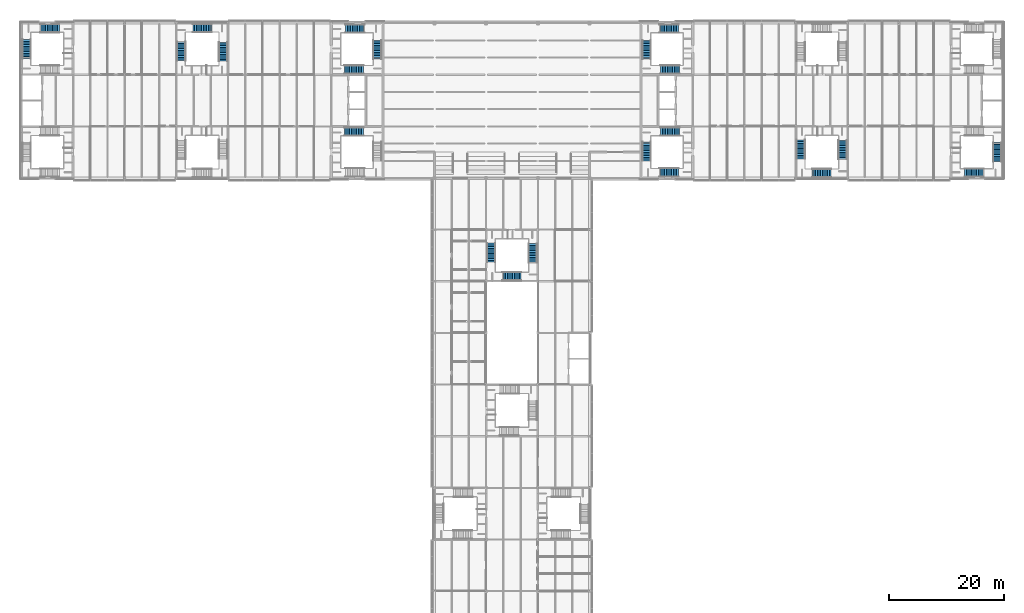
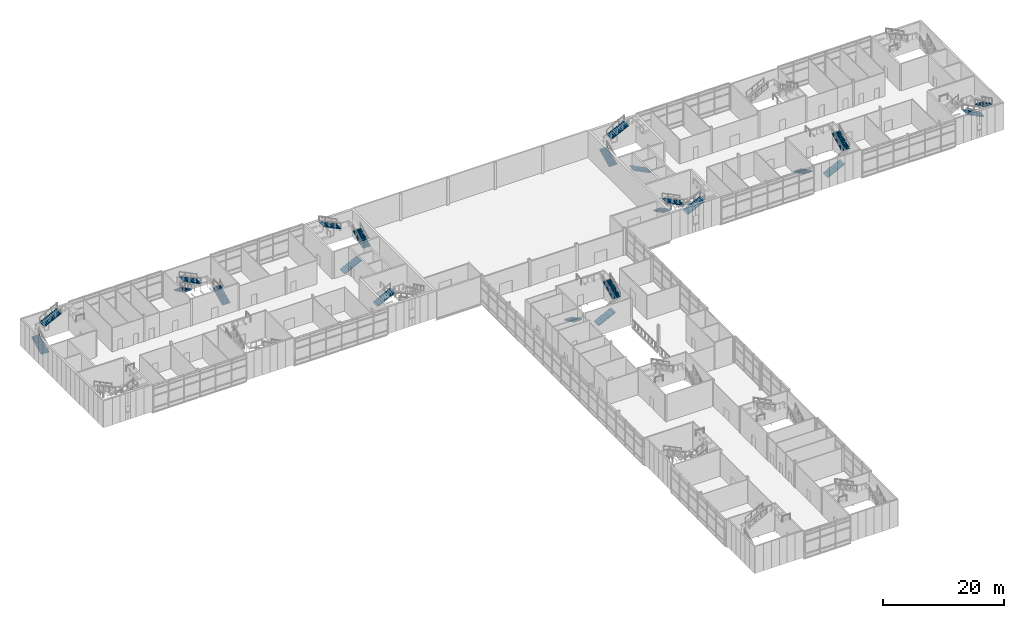
# One storey, part 41 of 52: 23 stair flights, 9 elements without a shape of their own.
"""IFC4 building model written with IfcOpenShell, lengths in metres."""

from ifc_helpers import new_model, si_unit, direction, frame, origin, place, context, subcontext, project, spatial, polyline, outline, extrude, material, type_object, element, aggregate, save


model = new_model("IFC4")

# Units and contexts
model_context = context("Model", 3, precision=1e-05, world=origin(), true_north=direction((0.0, 1.0)))
body_context = subcontext(model_context, "Body", "Model", "MODEL_VIEW")
ifc_project = project(units=[si_unit("LENGTHUNIT", "METRE"), si_unit("AREAUNIT", "SQUARE_METRE"), si_unit("VOLUMEUNIT", "CUBIC_METRE"), si_unit("PLANEANGLEUNIT", "RADIAN"), si_unit("MASSUNIT", "GRAM", prefix="KILO")], contexts=[model_context])

# Site, building, storey
site_placement = place(None, origin())
site = spatial("IfcSite", under=ifc_project, at=site_placement, CompositionType="ELEMENT")
building_placement = place(site_placement, origin())
building = spatial("IfcBuilding", under=site, at=building_placement, Name="Azimuth Sports and Learning Centre", CompositionType="ELEMENT")
storey_placement = place(building_placement, frame((0.0, 0.0, 16.199951171875)))
storey = spatial("IfcBuildingStorey", under=building, at=storey_placement, Name="L03", CompositionType="ELEMENT", Elevation=16.199951171875)

# Stair, stair flight
ifc_material_1 = material(Name="Concrete C32/40", Category="concrete")
stair_type_1 = type_object("IfcStairType", Name="Square-well stair core 5400 storey", PredefinedType="THREE_QUARTER_TURN_STAIR", material=ifc_material_1)
stair_1_placement = place(storey_placement, origin())
stair_1 = element("IfcStair", 1, at=stair_1_placement, inside=storey, type_object=stair_type_1, Name="Stair W1 L03-L04", PredefinedType="THREE_QUARTER_TURN_STAIR")
ifc_material_2 = material(Name="Concrete C32/40", Category="concrete")
stair_flight_type = type_object("IfcStairFlightType", Name="Stair flight 12 risers", PredefinedType="STRAIGHT", material=ifc_material_2)
stair_flight_1_placement = place(storey_placement, frame((56.31005859375, 98.090087890625, 0.0), z_axis=(0.0, 0.0, 1.0), x_axis=(1.0, 0.0, 0.0)))
stair_flight_1 = element("IfcStairFlight", 2, at=stair_flight_1_placement, type_object=stair_flight_type, Name="Stair W1 L03 flight 1", NumberOfRisers=12, NumberOfTreads=11, PredefinedType="STRAIGHT", RiserHeight=0.15, TreadLength=0.3, context=body_context, shape_type="SweptSolid", body=[
    extrude(outline(polyline([(0.0, 0.0), (0.0, 0.14990234375), (0.300048828125, 0.14990234375), (0.300048828125, 0.300048828125), (0.60009765625, 0.300048828125), (0.60009765625, 0.449951171875), (0.89990234375, 0.449951171875), (0.89990234375, 0.60009765625), (1.199951171875, 0.60009765625), (1.199951171875, 0.75), (1.5, 0.75), (1.5, 0.89990234375), (1.800048828125, 0.89990234375), (1.800048828125, 1.050048828125), (2.10009765625, 1.050048828125), (2.10009765625, 1.199951171875), (2.39990234375, 1.199951171875), (2.39990234375, 1.35009765625), (2.699951171875, 1.35009765625), (2.699951171875, 1.5), (3.0, 1.5), (3.0, 1.64990234375), (3.300048828125, 1.64990234375), (3.300048828125, 1.800048828125), (3.300048828125, 1.482421875), (0.335205078125, 0.0), (0.0, 0.0)])), frame((0.0, 0.75, 0.0), z_axis=(0.0, -1.0, 0.0), x_axis=(1.0, 0.0, 0.0)), (0.0, 0.0, 1.0), 1.5),
])
aggregate(stair_1, [stair_flight_1])

# Stair, stair flights
stair_2_placement = place(storey_placement, origin())
stair_2 = element("IfcStair", 3, at=stair_2_placement, inside=storey, type_object=stair_type_1, Name="Stair W2 L03-L04", PredefinedType="THREE_QUARTER_TURN_STAIR")
stair_flight_2_placement = place(storey_placement, frame((56.31005859375, 108.909912109375, 0.0), z_axis=(0.0, 0.0, 1.0), x_axis=(1.0, 0.0, 0.0)))
stair_flight_2 = element("IfcStairFlight", 4, at=stair_flight_2_placement, type_object=stair_flight_type, Name="Stair W2 L03 flight 1", NumberOfRisers=12, NumberOfTreads=11, PredefinedType="STRAIGHT", RiserHeight=0.15, TreadLength=0.3, context=body_context, shape_type="SweptSolid", body=[
    extrude(outline(polyline([(0.0, 0.0), (0.0, 0.14990234375), (0.300048828125, 0.14990234375), (0.300048828125, 0.300048828125), (0.60009765625, 0.300048828125), (0.60009765625, 0.449951171875), (0.89990234375, 0.449951171875), (0.89990234375, 0.60009765625), (1.199951171875, 0.60009765625), (1.199951171875, 0.75), (1.5, 0.75), (1.5, 0.89990234375), (1.800048828125, 0.89990234375), (1.800048828125, 1.050048828125), (2.10009765625, 1.050048828125), (2.10009765625, 1.199951171875), (2.39990234375, 1.199951171875), (2.39990234375, 1.35009765625), (2.699951171875, 1.35009765625), (2.699951171875, 1.5), (3.0, 1.5), (3.0, 1.64990234375), (3.300048828125, 1.64990234375), (3.300048828125, 1.800048828125), (3.300048828125, 1.482421875), (0.335205078125, 0.0), (0.0, 0.0)])), frame((0.0, 0.75, 0.0), z_axis=(0.0, -1.0, 0.0), x_axis=(1.0, 0.0, 0.0)), (0.0, 0.0, 1.0), 1.5),
])
stair_flight_3_placement = place(storey_placement, frame((62.0400390625, 110.7099609375, 1.800048828125), z_axis=(0.0, 0.0, 1.0), x_axis=(0.0, 1.0, 0.0)))
stair_flight_3 = element("IfcStairFlight", 5, at=stair_flight_3_placement, type_object=stair_flight_type, Name="Stair W2 L03 flight 2", NumberOfRisers=12, NumberOfTreads=11, PredefinedType="STRAIGHT", RiserHeight=0.15, TreadLength=0.3, context=body_context, shape_type="SweptSolid", body=[
    extrude(outline(polyline([(0.0, 0.0), (0.0, 0.14990234375), (0.300048828125, 0.14990234375), (0.300048828125, 0.300048828125), (0.60009765625, 0.300048828125), (0.60009765625, 0.449951171875), (0.89990234375, 0.449951171875), (0.89990234375, 0.60009765625), (1.199951171875, 0.60009765625), (1.199951171875, 0.75), (1.5, 0.75), (1.5, 0.89990234375), (1.800048828125, 0.89990234375), (1.800048828125, 1.050048828125), (2.10009765625, 1.050048828125), (2.10009765625, 1.199951171875), (2.39990234375, 1.199951171875), (2.39990234375, 1.35009765625), (2.699951171875, 1.35009765625), (2.699951171875, 1.5), (3.0, 1.5), (3.0, 1.64990234375), (3.300048828125, 1.64990234375), (3.300048828125, 1.800048828125), (3.300048828125, 1.482421875), (0.335205078125, 0.0), (0.0, 0.0)])), frame((0.0, 0.75, 0.0), z_axis=(0.0, -1.0, 0.0), x_axis=(1.0, 0.0, 0.0)), (0.0, 0.0, 1.0), 1.5),
])
stair_flight_4_placement = place(storey_placement, frame((59.7900390625, 116.0400390625, 3.60009765625), z_axis=(0.0, 0.0, 1.0), x_axis=(-1.0, 0.0, 0.0)))
stair_flight_4 = element("IfcStairFlight", 6, at=stair_flight_4_placement, type_object=stair_flight_type, Name="Stair W2 L03 flight 3", NumberOfRisers=12, NumberOfTreads=11, PredefinedType="STRAIGHT", RiserHeight=0.15, TreadLength=0.3, context=body_context, shape_type="SweptSolid", body=[
    extrude(outline(polyline([(0.0, 0.0), (0.0, 0.14990234375), (0.300048828125, 0.14990234375), (0.300048828125, 0.300048828125), (0.60009765625, 0.300048828125), (0.60009765625, 0.449951171875), (0.89990234375, 0.449951171875), (0.89990234375, 0.60009765625), (1.199951171875, 0.60009765625), (1.199951171875, 0.75), (1.5, 0.75), (1.5, 0.89990234375), (1.800048828125, 0.89990234375), (1.800048828125, 1.050048828125), (2.10009765625, 1.050048828125), (2.10009765625, 1.199951171875), (2.39990234375, 1.199951171875), (2.39990234375, 1.35009765625), (2.699951171875, 1.35009765625), (2.699951171875, 1.5), (3.0, 1.5), (3.0, 1.64990234375), (3.300048828125, 1.64990234375), (3.300048828125, 1.800048828125), (3.300048828125, 1.482421875), (0.335205078125, 0.0), (0.0, 0.0)])), frame((0.0, 0.75, 0.0), z_axis=(0.0, -1.0, 0.0), x_axis=(1.0, 0.0, 0.0)), (0.0, 0.0, 1.0), 1.5),
])
aggregate(stair_2, [stair_flight_2, stair_flight_3, stair_flight_4])

stair_3_placement = place(storey_placement, origin())
stair_3 = element("IfcStair", 7, at=stair_3_placement, inside=storey, type_object=stair_type_1, Name="Stair E1 L03-L04", PredefinedType="THREE_QUARTER_TURN_STAIR")
stair_flight_5_placement = place(storey_placement, frame((114.68994140625, 98.090087890625, 0.0), z_axis=(0.0, 0.0, 1.0), x_axis=(-1.0, 0.0, 0.0)))
stair_flight_5 = element("IfcStairFlight", 8, at=stair_flight_5_placement, type_object=stair_flight_type, Name="Stair E1 L03 flight 1", NumberOfRisers=12, NumberOfTreads=11, PredefinedType="STRAIGHT", RiserHeight=0.15, TreadLength=0.3, context=body_context, shape_type="SweptSolid", body=[
    extrude(outline(polyline([(0.0, 0.0), (0.0, 0.14990234375), (0.300048828125, 0.14990234375), (0.300048828125, 0.300048828125), (0.60009765625, 0.300048828125), (0.60009765625, 0.449951171875), (0.89990234375, 0.449951171875), (0.89990234375, 0.60009765625), (1.199951171875, 0.60009765625), (1.199951171875, 0.75), (1.5, 0.75), (1.5, 0.89990234375), (1.800048828125, 0.89990234375), (1.800048828125, 1.050048828125), (2.10009765625, 1.050048828125), (2.10009765625, 1.199951171875), (2.39990234375, 1.199951171875), (2.39990234375, 1.35009765625), (2.699951171875, 1.35009765625), (2.699951171875, 1.5), (3.0, 1.5), (3.0, 1.64990234375), (3.300048828125, 1.64990234375), (3.300048828125, 1.800048828125), (3.300048828125, 1.482421875), (0.335205078125, 0.0), (0.0, 0.0)])), frame((0.0, 0.75, 0.0), z_axis=(0.0, -1.0, 0.0), x_axis=(1.0, 0.0, 0.0)), (0.0, 0.0, 1.0), 1.5),
])
stair_flight_6_placement = place(storey_placement, frame((108.9599609375, 96.2900390625, 1.800048828125), z_axis=(0.0, 0.0, 1.0), x_axis=(0.0, -1.0, 0.0)))
stair_flight_6 = element("IfcStairFlight", 9, at=stair_flight_6_placement, type_object=stair_flight_type, Name="Stair E1 L03 flight 2", NumberOfRisers=12, NumberOfTreads=11, PredefinedType="STRAIGHT", RiserHeight=0.15, TreadLength=0.3, context=body_context, shape_type="SweptSolid", body=[
    extrude(outline(polyline([(0.0, 0.0), (0.0, 0.14990234375), (0.300048828125, 0.14990234375), (0.300048828125, 0.300048828125), (0.60009765625, 0.300048828125), (0.60009765625, 0.449951171875), (0.89990234375, 0.449951171875), (0.89990234375, 0.60009765625), (1.199951171875, 0.60009765625), (1.199951171875, 0.75), (1.5, 0.75), (1.5, 0.89990234375), (1.800048828125, 0.89990234375), (1.800048828125, 1.050048828125), (2.10009765625, 1.050048828125), (2.10009765625, 1.199951171875), (2.39990234375, 1.199951171875), (2.39990234375, 1.35009765625), (2.699951171875, 1.35009765625), (2.699951171875, 1.5), (3.0, 1.5), (3.0, 1.64990234375), (3.300048828125, 1.64990234375), (3.300048828125, 1.800048828125), (3.300048828125, 1.482421875), (0.335205078125, 0.0), (0.0, 0.0)])), frame((0.0, 0.75, 0.0), z_axis=(0.0, -1.0, 0.0), x_axis=(1.0, 0.0, 0.0)), (0.0, 0.0, 1.0), 1.5),
])
stair_flight_7_placement = place(storey_placement, frame((111.2099609375, 90.9599609375, 3.60009765625), z_axis=(0.0, 0.0, 1.0), x_axis=(1.0, 0.0, 0.0)))
stair_flight_7 = element("IfcStairFlight", 10, at=stair_flight_7_placement, type_object=stair_flight_type, Name="Stair E1 L03 flight 3", NumberOfRisers=12, NumberOfTreads=11, PredefinedType="STRAIGHT", RiserHeight=0.15, TreadLength=0.3, context=body_context, shape_type="SweptSolid", body=[
    extrude(outline(polyline([(0.0, 0.0), (0.0, 0.14990234375), (0.300048828125, 0.14990234375), (0.300048828125, 0.300048828125), (0.60009765625, 0.300048828125), (0.60009765625, 0.449951171875), (0.89990234375, 0.449951171875), (0.89990234375, 0.60009765625), (1.199951171875, 0.60009765625), (1.199951171875, 0.75), (1.5, 0.75), (1.5, 0.89990234375), (1.800048828125, 0.89990234375), (1.800048828125, 1.050048828125), (2.10009765625, 1.050048828125), (2.10009765625, 1.199951171875), (2.39990234375, 1.199951171875), (2.39990234375, 1.35009765625), (2.699951171875, 1.35009765625), (2.699951171875, 1.5), (3.0, 1.5), (3.0, 1.64990234375), (3.300048828125, 1.64990234375), (3.300048828125, 1.800048828125), (3.300048828125, 1.482421875), (0.335205078125, 0.0), (0.0, 0.0)])), frame((0.0, 0.75, 0.0), z_axis=(0.0, -1.0, 0.0), x_axis=(1.0, 0.0, 0.0)), (0.0, 0.0, 1.0), 1.5),
])
aggregate(stair_3, [stair_flight_5, stair_flight_6, stair_flight_7])

stair_4_placement = place(storey_placement, origin())
stair_4 = element("IfcStair", 11, at=stair_4_placement, inside=storey, type_object=stair_type_1, Name="Stair E2 L03-L04", PredefinedType="THREE_QUARTER_TURN_STAIR")
stair_flight_8_placement = place(storey_placement, frame((114.68994140625, 108.909912109375, 0.0), z_axis=(0.0, 0.0, 1.0), x_axis=(-1.0, 0.0, 0.0)))
stair_flight_8 = element("IfcStairFlight", 12, at=stair_flight_8_placement, type_object=stair_flight_type, Name="Stair E2 L03 flight 1", NumberOfRisers=12, NumberOfTreads=11, PredefinedType="STRAIGHT", RiserHeight=0.15, TreadLength=0.3, context=body_context, shape_type="SweptSolid", body=[
    extrude(outline(polyline([(0.0, 0.0), (0.0, 0.14990234375), (0.300048828125, 0.14990234375), (0.300048828125, 0.300048828125), (0.60009765625, 0.300048828125), (0.60009765625, 0.449951171875), (0.89990234375, 0.449951171875), (0.89990234375, 0.60009765625), (1.199951171875, 0.60009765625), (1.199951171875, 0.75), (1.5, 0.75), (1.5, 0.89990234375), (1.800048828125, 0.89990234375), (1.800048828125, 1.050048828125), (2.10009765625, 1.050048828125), (2.10009765625, 1.199951171875), (2.39990234375, 1.199951171875), (2.39990234375, 1.35009765625), (2.699951171875, 1.35009765625), (2.699951171875, 1.5), (3.0, 1.5), (3.0, 1.64990234375), (3.300048828125, 1.64990234375), (3.300048828125, 1.800048828125), (3.300048828125, 1.482421875), (0.335205078125, 0.0), (0.0, 0.0)])), frame((0.0, 0.75, 0.0), z_axis=(0.0, -1.0, 0.0), x_axis=(1.0, 0.0, 0.0)), (0.0, 0.0, 1.0), 1.5),
])
stair_flight_9_placement = place(storey_placement, frame((108.9599609375, 110.7099609375, 1.800048828125), z_axis=(0.0, 0.0, 1.0), x_axis=(0.0, 1.0, 0.0)))
stair_flight_9 = element("IfcStairFlight", 13, at=stair_flight_9_placement, type_object=stair_flight_type, Name="Stair E2 L03 flight 2", NumberOfRisers=12, NumberOfTreads=11, PredefinedType="STRAIGHT", RiserHeight=0.15, TreadLength=0.3, context=body_context, shape_type="SweptSolid", body=[
    extrude(outline(polyline([(0.0, 0.0), (0.0, 0.14990234375), (0.300048828125, 0.14990234375), (0.300048828125, 0.300048828125), (0.60009765625, 0.300048828125), (0.60009765625, 0.449951171875), (0.89990234375, 0.449951171875), (0.89990234375, 0.60009765625), (1.199951171875, 0.60009765625), (1.199951171875, 0.75), (1.5, 0.75), (1.5, 0.89990234375), (1.800048828125, 0.89990234375), (1.800048828125, 1.050048828125), (2.10009765625, 1.050048828125), (2.10009765625, 1.199951171875), (2.39990234375, 1.199951171875), (2.39990234375, 1.35009765625), (2.699951171875, 1.35009765625), (2.699951171875, 1.5), (3.0, 1.5), (3.0, 1.64990234375), (3.300048828125, 1.64990234375), (3.300048828125, 1.800048828125), (3.300048828125, 1.482421875), (0.335205078125, 0.0), (0.0, 0.0)])), frame((0.0, 0.75, 0.0), z_axis=(0.0, -1.0, 0.0), x_axis=(1.0, 0.0, 0.0)), (0.0, 0.0, 1.0), 1.5),
])
stair_flight_10_placement = place(storey_placement, frame((111.2099609375, 116.0400390625, 3.60009765625), z_axis=(0.0, 0.0, 1.0), x_axis=(1.0, 0.0, 0.0)))
stair_flight_10 = element("IfcStairFlight", 14, at=stair_flight_10_placement, type_object=stair_flight_type, Name="Stair E2 L03 flight 3", NumberOfRisers=12, NumberOfTreads=11, PredefinedType="STRAIGHT", RiserHeight=0.15, TreadLength=0.3, context=body_context, shape_type="SweptSolid", body=[
    extrude(outline(polyline([(0.0, 0.0), (0.0, 0.14990234375), (0.300048828125, 0.14990234375), (0.300048828125, 0.300048828125), (0.60009765625, 0.300048828125), (0.60009765625, 0.449951171875), (0.89990234375, 0.449951171875), (0.89990234375, 0.60009765625), (1.199951171875, 0.60009765625), (1.199951171875, 0.75), (1.5, 0.75), (1.5, 0.89990234375), (1.800048828125, 0.89990234375), (1.800048828125, 1.050048828125), (2.10009765625, 1.050048828125), (2.10009765625, 1.199951171875), (2.39990234375, 1.199951171875), (2.39990234375, 1.35009765625), (2.699951171875, 1.35009765625), (2.699951171875, 1.5), (3.0, 1.5), (3.0, 1.64990234375), (3.300048828125, 1.64990234375), (3.300048828125, 1.800048828125), (3.300048828125, 1.482421875), (0.335205078125, 0.0), (0.0, 0.0)])), frame((0.0, 0.75, 0.0), z_axis=(0.0, -1.0, 0.0), x_axis=(1.0, 0.0, 0.0)), (0.0, 0.0, 1.0), 1.5),
])
aggregate(stair_4, [stair_flight_8, stair_flight_9, stair_flight_10])

ifc_material_3 = material(Name="Concrete C32/40", Category="concrete")
stair_type_2 = type_object("IfcStairType", Name="Square-well stair end core 5400 storey", PredefinedType="THREE_QUARTER_TURN_STAIR", material=ifc_material_3)
stair_5_placement = place(storey_placement, origin())
stair_5 = element("IfcStair", 15, at=stair_5_placement, inside=storey, type_object=stair_type_2, Name="Stair WW2 L03-L04", PredefinedType="THREE_QUARTER_TURN_STAIR")
stair_flight_11_placement = place(storey_placement, frame((0.909912109375, 110.8349609375, 1.800048828125), z_axis=(0.0, 0.0, 1.0), x_axis=(0.0, 1.0, 0.0)))
stair_flight_11 = element("IfcStairFlight", 16, at=stair_flight_11_placement, type_object=stair_flight_type, Name="Stair WW2 L03 flight 2", NumberOfRisers=12, NumberOfTreads=11, PredefinedType="STRAIGHT", RiserHeight=0.15, TreadLength=0.3, context=body_context, shape_type="SweptSolid", body=[
    extrude(outline(polyline([(0.0, 0.0), (0.0, 0.14990234375), (0.300048828125, 0.14990234375), (0.300048828125, 0.300048828125), (0.60009765625, 0.300048828125), (0.60009765625, 0.449951171875), (0.89990234375, 0.449951171875), (0.89990234375, 0.60009765625), (1.199951171875, 0.60009765625), (1.199951171875, 0.75), (1.5, 0.75), (1.5, 0.89990234375), (1.800048828125, 0.89990234375), (1.800048828125, 1.050048828125), (2.10009765625, 1.050048828125), (2.10009765625, 1.199951171875), (2.39990234375, 1.199951171875), (2.39990234375, 1.35009765625), (2.699951171875, 1.35009765625), (2.699951171875, 1.5), (3.0, 1.5), (3.0, 1.64990234375), (3.300048828125, 1.64990234375), (3.300048828125, 1.800048828125), (3.300048828125, 1.482421875), (0.335205078125, 0.0), (0.0, 0.0)])), frame((0.0, 0.75, 0.0), z_axis=(0.0, -1.0, 0.0), x_axis=(1.0, 0.0, 0.0)), (0.0, 0.0, 1.0), 1.5),
])
stair_flight_12_placement = place(storey_placement, frame((3.31005859375, 116.090087890625, 3.60009765625), z_axis=(0.0, 0.0, 1.0), x_axis=(1.0, 0.0, 0.0)))
stair_flight_12 = element("IfcStairFlight", 17, at=stair_flight_12_placement, type_object=stair_flight_type, Name="Stair WW2 L03 flight 3", NumberOfRisers=12, NumberOfTreads=11, PredefinedType="STRAIGHT", RiserHeight=0.15, TreadLength=0.3, context=body_context, shape_type="SweptSolid", body=[
    extrude(outline(polyline([(0.0, 0.0), (0.0, 0.14990234375), (0.300048828125, 0.14990234375), (0.300048828125, 0.300048828125), (0.60009765625, 0.300048828125), (0.60009765625, 0.449951171875), (0.89990234375, 0.449951171875), (0.89990234375, 0.60009765625), (1.199951171875, 0.60009765625), (1.199951171875, 0.75), (1.5, 0.75), (1.5, 0.89990234375), (1.800048828125, 0.89990234375), (1.800048828125, 1.050048828125), (2.10009765625, 1.050048828125), (2.10009765625, 1.199951171875), (2.39990234375, 1.199951171875), (2.39990234375, 1.35009765625), (2.699951171875, 1.35009765625), (2.699951171875, 1.5), (3.0, 1.5), (3.0, 1.64990234375), (3.300048828125, 1.64990234375), (3.300048828125, 1.800048828125), (3.300048828125, 1.482421875), (0.335205078125, 0.0), (0.0, 0.0)])), frame((0.0, 0.75, 0.0), z_axis=(0.0, -1.0, 0.0), x_axis=(1.0, 0.0, 0.0)), (0.0, 0.0, 1.0), 1.5),
])
aggregate(stair_5, [stair_flight_11, stair_flight_12])

stair_6_placement = place(storey_placement, origin())
stair_6 = element("IfcStair", 18, at=stair_6_placement, inside=storey, type_object=stair_type_2, Name="Stair EW1 L03-L04", PredefinedType="THREE_QUARTER_TURN_STAIR")
stair_flight_13_placement = place(storey_placement, frame((170.090087890625, 96.1650390625, 1.800048828125), z_axis=(0.0, 0.0, 1.0), x_axis=(0.0, -1.0, 0.0)))
stair_flight_13 = element("IfcStairFlight", 19, at=stair_flight_13_placement, type_object=stair_flight_type, Name="Stair EW1 L03 flight 2", NumberOfRisers=12, NumberOfTreads=11, PredefinedType="STRAIGHT", RiserHeight=0.15, TreadLength=0.3, context=body_context, shape_type="SweptSolid", body=[
    extrude(outline(polyline([(0.0, 0.0), (0.0, 0.14990234375), (0.300048828125, 0.14990234375), (0.300048828125, 0.300048828125), (0.60009765625, 0.300048828125), (0.60009765625, 0.449951171875), (0.89990234375, 0.449951171875), (0.89990234375, 0.60009765625), (1.199951171875, 0.60009765625), (1.199951171875, 0.75), (1.5, 0.75), (1.5, 0.89990234375), (1.800048828125, 0.89990234375), (1.800048828125, 1.050048828125), (2.10009765625, 1.050048828125), (2.10009765625, 1.199951171875), (2.39990234375, 1.199951171875), (2.39990234375, 1.35009765625), (2.699951171875, 1.35009765625), (2.699951171875, 1.5), (3.0, 1.5), (3.0, 1.64990234375), (3.300048828125, 1.64990234375), (3.300048828125, 1.800048828125), (3.300048828125, 1.482421875), (0.335205078125, 0.0), (0.0, 0.0)])), frame((0.0, 0.75, 0.0), z_axis=(0.0, -1.0, 0.0), x_axis=(1.0, 0.0, 0.0)), (0.0, 0.0, 1.0), 1.5),
])
stair_flight_14_placement = place(storey_placement, frame((167.68994140625, 90.909912109375, 3.60009765625), z_axis=(0.0, 0.0, 1.0), x_axis=(-1.0, 0.0, 0.0)))
stair_flight_14 = element("IfcStairFlight", 20, at=stair_flight_14_placement, type_object=stair_flight_type, Name="Stair EW1 L03 flight 3", NumberOfRisers=12, NumberOfTreads=11, PredefinedType="STRAIGHT", RiserHeight=0.15, TreadLength=0.3, context=body_context, shape_type="SweptSolid", body=[
    extrude(outline(polyline([(0.0, 0.0), (0.0, 0.14990234375), (0.300048828125, 0.14990234375), (0.300048828125, 0.300048828125), (0.60009765625, 0.300048828125), (0.60009765625, 0.449951171875), (0.89990234375, 0.449951171875), (0.89990234375, 0.60009765625), (1.199951171875, 0.60009765625), (1.199951171875, 0.75), (1.5, 0.75), (1.5, 0.89990234375), (1.800048828125, 0.89990234375), (1.800048828125, 1.050048828125), (2.10009765625, 1.050048828125), (2.10009765625, 1.199951171875), (2.39990234375, 1.199951171875), (2.39990234375, 1.35009765625), (2.699951171875, 1.35009765625), (2.699951171875, 1.5), (3.0, 1.5), (3.0, 1.64990234375), (3.300048828125, 1.64990234375), (3.300048828125, 1.800048828125), (3.300048828125, 1.482421875), (0.335205078125, 0.0), (0.0, 0.0)])), frame((0.0, 0.75, 0.0), z_axis=(0.0, -1.0, 0.0), x_axis=(1.0, 0.0, 0.0)), (0.0, 0.0, 1.0), 1.5),
])
aggregate(stair_6, [stair_flight_13, stair_flight_14])

ifc_material_4 = material(Name="Concrete C32/40", Category="concrete")
stair_type_3 = type_object("IfcStairType", Name="Square-well stair mid-wing cell 5400 storey", PredefinedType="THREE_QUARTER_TURN_STAIR", material=ifc_material_4)
stair_7_placement = place(storey_placement, origin())
stair_7 = element("IfcStair", 21, at=stair_7_placement, inside=storey, type_object=stair_type_3, Name="Stair WM2 L03-L04", PredefinedType="THREE_QUARTER_TURN_STAIR")
stair_flight_15_placement = place(storey_placement, frame((35.139892578125, 110.360107421875, 0.0), z_axis=(0.0, 0.0, 1.0), x_axis=(0.0, 1.0, 0.0)))
stair_flight_15 = element("IfcStairFlight", 22, at=stair_flight_15_placement, type_object=stair_flight_type, Name="Stair WM2 L03 flight 1", NumberOfRisers=12, NumberOfTreads=11, PredefinedType="STRAIGHT", RiserHeight=0.15, TreadLength=0.3, context=body_context, shape_type="SweptSolid", body=[
    extrude(outline(polyline([(0.0, 0.0), (0.0, 0.14990234375), (0.300048828125, 0.14990234375), (0.300048828125, 0.300048828125), (0.60009765625, 0.300048828125), (0.60009765625, 0.449951171875), (0.89990234375, 0.449951171875), (0.89990234375, 0.60009765625), (1.199951171875, 0.60009765625), (1.199951171875, 0.75), (1.5, 0.75), (1.5, 0.89990234375), (1.800048828125, 0.89990234375), (1.800048828125, 1.050048828125), (2.10009765625, 1.050048828125), (2.10009765625, 1.199951171875), (2.39990234375, 1.199951171875), (2.39990234375, 1.35009765625), (2.699951171875, 1.35009765625), (2.699951171875, 1.5), (3.0, 1.5), (3.0, 1.64990234375), (3.300048828125, 1.64990234375), (3.300048828125, 1.800048828125), (3.300048828125, 1.482421875), (0.335205078125, 0.0), (0.0, 0.0)])), frame((0.0, 0.75, 0.0), z_axis=(0.0, -1.0, 0.0), x_axis=(1.0, 0.0, 0.0)), (0.0, 0.0, 1.0), 1.5),
])
stair_flight_16_placement = place(storey_placement, frame((33.18994140625, 116.139892578125, 1.800048828125), z_axis=(0.0, 0.0, 1.0), x_axis=(-1.0, 0.0, 0.0)))
stair_flight_16 = element("IfcStairFlight", 23, at=stair_flight_16_placement, type_object=stair_flight_type, Name="Stair WM2 L03 flight 2", NumberOfRisers=12, NumberOfTreads=11, PredefinedType="STRAIGHT", RiserHeight=0.15, TreadLength=0.3, context=body_context, shape_type="SweptSolid", body=[
    extrude(outline(polyline([(0.0, 0.0), (0.0, 0.14990234375), (0.300048828125, 0.14990234375), (0.300048828125, 0.300048828125), (0.60009765625, 0.300048828125), (0.60009765625, 0.449951171875), (0.89990234375, 0.449951171875), (0.89990234375, 0.60009765625), (1.199951171875, 0.60009765625), (1.199951171875, 0.75), (1.5, 0.75), (1.5, 0.89990234375), (1.800048828125, 0.89990234375), (1.800048828125, 1.050048828125), (2.10009765625, 1.050048828125), (2.10009765625, 1.199951171875), (2.39990234375, 1.199951171875), (2.39990234375, 1.35009765625), (2.699951171875, 1.35009765625), (2.699951171875, 1.5), (3.0, 1.5), (3.0, 1.64990234375), (3.300048828125, 1.64990234375), (3.300048828125, 1.800048828125), (3.300048828125, 1.482421875), (0.335205078125, 0.0), (0.0, 0.0)])), frame((0.0, 0.75, 0.0), z_axis=(0.0, -1.0, 0.0), x_axis=(1.0, 0.0, 0.0)), (0.0, 0.0, 1.0), 1.5),
])
stair_flight_17_placement = place(storey_placement, frame((27.860107421875, 113.739990234375, 3.60009765625), z_axis=(0.0, 0.0, 1.0), x_axis=(0.0, -1.0, 0.0)))
stair_flight_17 = element("IfcStairFlight", 24, at=stair_flight_17_placement, type_object=stair_flight_type, Name="Stair WM2 L03 flight 3", NumberOfRisers=12, NumberOfTreads=11, PredefinedType="STRAIGHT", RiserHeight=0.15, TreadLength=0.3, context=body_context, shape_type="SweptSolid", body=[
    extrude(outline(polyline([(0.0, 0.0), (0.0, 0.14990234375), (0.300048828125, 0.14990234375), (0.300048828125, 0.300048828125), (0.60009765625, 0.300048828125), (0.60009765625, 0.449951171875), (0.89990234375, 0.449951171875), (0.89990234375, 0.60009765625), (1.199951171875, 0.60009765625), (1.199951171875, 0.75), (1.5, 0.75), (1.5, 0.89990234375), (1.800048828125, 0.89990234375), (1.800048828125, 1.050048828125), (2.10009765625, 1.050048828125), (2.10009765625, 1.199951171875), (2.39990234375, 1.199951171875), (2.39990234375, 1.35009765625), (2.699951171875, 1.35009765625), (2.699951171875, 1.5), (3.0, 1.5), (3.0, 1.64990234375), (3.300048828125, 1.64990234375), (3.300048828125, 1.800048828125), (3.300048828125, 1.482421875), (0.335205078125, 0.0), (0.0, 0.0)])), frame((0.0, 0.75, 0.0), z_axis=(0.0, -1.0, 0.0), x_axis=(1.0, 0.0, 0.0)), (0.0, 0.0, 1.0), 1.5),
])
aggregate(stair_7, [stair_flight_15, stair_flight_16, stair_flight_17])

stair_8_placement = place(storey_placement, origin())
stair_8 = element("IfcStair", 25, at=stair_8_placement, inside=storey, type_object=stair_type_3, Name="Stair EM1 L03-L04", PredefinedType="THREE_QUARTER_TURN_STAIR")
stair_flight_18_placement = place(storey_placement, frame((135.860107421875, 96.639892578125, 0.0), z_axis=(0.0, 0.0, 1.0), x_axis=(0.0, -1.0, 0.0)))
stair_flight_18 = element("IfcStairFlight", 26, at=stair_flight_18_placement, type_object=stair_flight_type, Name="Stair EM1 L03 flight 1", NumberOfRisers=12, NumberOfTreads=11, PredefinedType="STRAIGHT", RiserHeight=0.15, TreadLength=0.3, context=body_context, shape_type="SweptSolid", body=[
    extrude(outline(polyline([(0.0, 0.0), (0.0, 0.14990234375), (0.300048828125, 0.14990234375), (0.300048828125, 0.300048828125), (0.60009765625, 0.300048828125), (0.60009765625, 0.449951171875), (0.89990234375, 0.449951171875), (0.89990234375, 0.60009765625), (1.199951171875, 0.60009765625), (1.199951171875, 0.75), (1.5, 0.75), (1.5, 0.89990234375), (1.800048828125, 0.89990234375), (1.800048828125, 1.050048828125), (2.10009765625, 1.050048828125), (2.10009765625, 1.199951171875), (2.39990234375, 1.199951171875), (2.39990234375, 1.35009765625), (2.699951171875, 1.35009765625), (2.699951171875, 1.5), (3.0, 1.5), (3.0, 1.64990234375), (3.300048828125, 1.64990234375), (3.300048828125, 1.800048828125), (3.300048828125, 1.482421875), (0.335205078125, 0.0), (0.0, 0.0)])), frame((0.0, 0.75, 0.0), z_axis=(0.0, -1.0, 0.0), x_axis=(1.0, 0.0, 0.0)), (0.0, 0.0, 1.0), 1.5),
])
stair_flight_19_placement = place(storey_placement, frame((137.81005859375, 90.860107421875, 1.800048828125), z_axis=(0.0, 0.0, 1.0), x_axis=(1.0, 0.0, 0.0)))
stair_flight_19 = element("IfcStairFlight", 27, at=stair_flight_19_placement, type_object=stair_flight_type, Name="Stair EM1 L03 flight 2", NumberOfRisers=12, NumberOfTreads=11, PredefinedType="STRAIGHT", RiserHeight=0.15, TreadLength=0.3, context=body_context, shape_type="SweptSolid", body=[
    extrude(outline(polyline([(0.0, 0.0), (0.0, 0.14990234375), (0.300048828125, 0.14990234375), (0.300048828125, 0.300048828125), (0.60009765625, 0.300048828125), (0.60009765625, 0.449951171875), (0.89990234375, 0.449951171875), (0.89990234375, 0.60009765625), (1.199951171875, 0.60009765625), (1.199951171875, 0.75), (1.5, 0.75), (1.5, 0.89990234375), (1.800048828125, 0.89990234375), (1.800048828125, 1.050048828125), (2.10009765625, 1.050048828125), (2.10009765625, 1.199951171875), (2.39990234375, 1.199951171875), (2.39990234375, 1.35009765625), (2.699951171875, 1.35009765625), (2.699951171875, 1.5), (3.0, 1.5), (3.0, 1.64990234375), (3.300048828125, 1.64990234375), (3.300048828125, 1.800048828125), (3.300048828125, 1.482421875), (0.335205078125, 0.0), (0.0, 0.0)])), frame((0.0, 0.75, 0.0), z_axis=(0.0, -1.0, 0.0), x_axis=(1.0, 0.0, 0.0)), (0.0, 0.0, 1.0), 1.5),
])
stair_flight_20_placement = place(storey_placement, frame((143.139892578125, 93.260009765625, 3.60009765625), z_axis=(0.0, 0.0, 1.0), x_axis=(0.0, 1.0, 0.0)))
stair_flight_20 = element("IfcStairFlight", 28, at=stair_flight_20_placement, type_object=stair_flight_type, Name="Stair EM1 L03 flight 3", NumberOfRisers=12, NumberOfTreads=11, PredefinedType="STRAIGHT", RiserHeight=0.15, TreadLength=0.3, context=body_context, shape_type="SweptSolid", body=[
    extrude(outline(polyline([(0.0, 0.0), (0.0, 0.14990234375), (0.300048828125, 0.14990234375), (0.300048828125, 0.300048828125), (0.60009765625, 0.300048828125), (0.60009765625, 0.449951171875), (0.89990234375, 0.449951171875), (0.89990234375, 0.60009765625), (1.199951171875, 0.60009765625), (1.199951171875, 0.75), (1.5, 0.75), (1.5, 0.89990234375), (1.800048828125, 0.89990234375), (1.800048828125, 1.050048828125), (2.10009765625, 1.050048828125), (2.10009765625, 1.199951171875), (2.39990234375, 1.199951171875), (2.39990234375, 1.35009765625), (2.699951171875, 1.35009765625), (2.699951171875, 1.5), (3.0, 1.5), (3.0, 1.64990234375), (3.300048828125, 1.64990234375), (3.300048828125, 1.800048828125), (3.300048828125, 1.482421875), (0.335205078125, 0.0), (0.0, 0.0)])), frame((0.0, 0.75, 0.0), z_axis=(0.0, -1.0, 0.0), x_axis=(1.0, 0.0, 0.0)), (0.0, 0.0, 1.0), 1.5),
])
aggregate(stair_8, [stair_flight_18, stair_flight_19, stair_flight_20])

ifc_material_5 = material(Name="Concrete C32/40", Category="concrete")
stair_type_4 = type_object("IfcStairType", Name="Square-well stair stem cell 5400 storey", PredefinedType="THREE_QUARTER_TURN_STAIR", material=ifc_material_5)
stair_9_placement = place(storey_placement, origin())
stair_9 = element("IfcStair", 29, at=stair_9_placement, inside=storey, type_object=stair_type_4, Name="Stair STD L03-L04", PredefinedType="THREE_QUARTER_TURN_STAIR")
stair_flight_21_placement = place(storey_placement, frame((81.860107421875, 78.639892578125, 0.0), z_axis=(0.0, 0.0, 1.0), x_axis=(0.0, -1.0, 0.0)))
stair_flight_21 = element("IfcStairFlight", 30, at=stair_flight_21_placement, type_object=stair_flight_type, Name="Stair STD L03 flight 1", NumberOfRisers=12, NumberOfTreads=11, PredefinedType="STRAIGHT", RiserHeight=0.15, TreadLength=0.3, context=body_context, shape_type="SweptSolid", body=[
    extrude(outline(polyline([(0.0, 0.0), (0.0, 0.14990234375), (0.300048828125, 0.14990234375), (0.300048828125, 0.300048828125), (0.60009765625, 0.300048828125), (0.60009765625, 0.449951171875), (0.89990234375, 0.449951171875), (0.89990234375, 0.60009765625), (1.199951171875, 0.60009765625), (1.199951171875, 0.75), (1.5, 0.75), (1.5, 0.89990234375), (1.800048828125, 0.89990234375), (1.800048828125, 1.050048828125), (2.10009765625, 1.050048828125), (2.10009765625, 1.199951171875), (2.39990234375, 1.199951171875), (2.39990234375, 1.35009765625), (2.699951171875, 1.35009765625), (2.699951171875, 1.5), (3.0, 1.5), (3.0, 1.64990234375), (3.300048828125, 1.64990234375), (3.300048828125, 1.800048828125), (3.300048828125, 1.482421875), (0.335205078125, 0.0), (0.0, 0.0)])), frame((0.0, 0.75, 0.0), z_axis=(0.0, -1.0, 0.0), x_axis=(1.0, 0.0, 0.0)), (0.0, 0.0, 1.0), 1.5),
])
stair_flight_22_placement = place(storey_placement, frame((83.81005859375, 72.860107421875, 1.800048828125), z_axis=(0.0, 0.0, 1.0), x_axis=(1.0, 0.0, 0.0)))
stair_flight_22 = element("IfcStairFlight", 31, at=stair_flight_22_placement, type_object=stair_flight_type, Name="Stair STD L03 flight 2", NumberOfRisers=12, NumberOfTreads=11, PredefinedType="STRAIGHT", RiserHeight=0.15, TreadLength=0.3, context=body_context, shape_type="SweptSolid", body=[
    extrude(outline(polyline([(0.0, 0.0), (0.0, 0.14990234375), (0.300048828125, 0.14990234375), (0.300048828125, 0.300048828125), (0.60009765625, 0.300048828125), (0.60009765625, 0.449951171875), (0.89990234375, 0.449951171875), (0.89990234375, 0.60009765625), (1.199951171875, 0.60009765625), (1.199951171875, 0.75), (1.5, 0.75), (1.5, 0.89990234375), (1.800048828125, 0.89990234375), (1.800048828125, 1.050048828125), (2.10009765625, 1.050048828125), (2.10009765625, 1.199951171875), (2.39990234375, 1.199951171875), (2.39990234375, 1.35009765625), (2.699951171875, 1.35009765625), (2.699951171875, 1.5), (3.0, 1.5), (3.0, 1.64990234375), (3.300048828125, 1.64990234375), (3.300048828125, 1.800048828125), (3.300048828125, 1.482421875), (0.335205078125, 0.0), (0.0, 0.0)])), frame((0.0, 0.75, 0.0), z_axis=(0.0, -1.0, 0.0), x_axis=(1.0, 0.0, 0.0)), (0.0, 0.0, 1.0), 1.5),
])
stair_flight_23_placement = place(storey_placement, frame((89.139892578125, 75.260009765625, 3.60009765625), z_axis=(0.0, 0.0, 1.0), x_axis=(0.0, 1.0, 0.0)))
stair_flight_23 = element("IfcStairFlight", 32, at=stair_flight_23_placement, type_object=stair_flight_type, Name="Stair STD L03 flight 3", NumberOfRisers=12, NumberOfTreads=11, PredefinedType="STRAIGHT", RiserHeight=0.15, TreadLength=0.3, context=body_context, shape_type="SweptSolid", body=[
    extrude(outline(polyline([(0.0, 0.0), (0.0, 0.14990234375), (0.300048828125, 0.14990234375), (0.300048828125, 0.300048828125), (0.60009765625, 0.300048828125), (0.60009765625, 0.449951171875), (0.89990234375, 0.449951171875), (0.89990234375, 0.60009765625), (1.199951171875, 0.60009765625), (1.199951171875, 0.75), (1.5, 0.75), (1.5, 0.89990234375), (1.800048828125, 0.89990234375), (1.800048828125, 1.050048828125), (2.10009765625, 1.050048828125), (2.10009765625, 1.199951171875), (2.39990234375, 1.199951171875), (2.39990234375, 1.35009765625), (2.699951171875, 1.35009765625), (2.699951171875, 1.5), (3.0, 1.5), (3.0, 1.64990234375), (3.300048828125, 1.64990234375), (3.300048828125, 1.800048828125), (3.300048828125, 1.482421875), (0.335205078125, 0.0), (0.0, 0.0)])), frame((0.0, 0.75, 0.0), z_axis=(0.0, -1.0, 0.0), x_axis=(1.0, 0.0, 0.0)), (0.0, 0.0, 1.0), 1.5),
])
aggregate(stair_9, [stair_flight_21, stair_flight_22, stair_flight_23])

save(model, "model.ifc")
